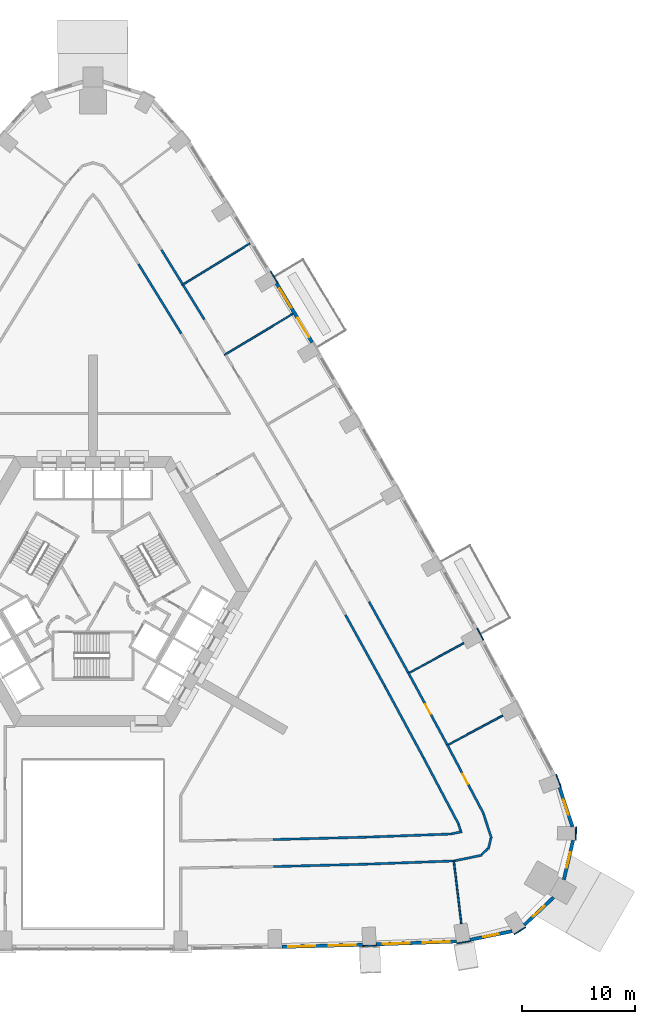
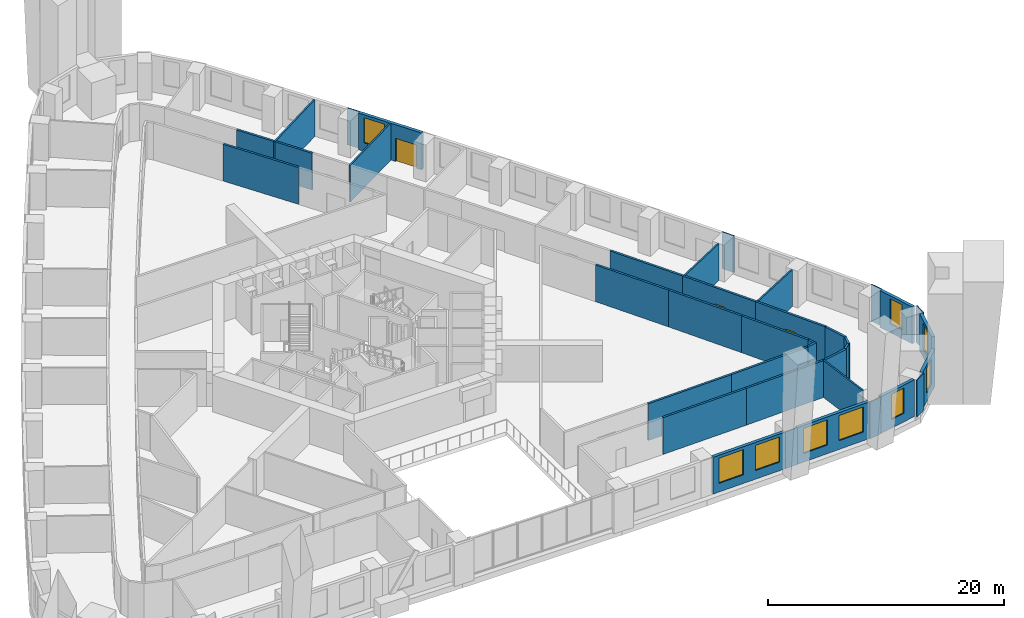
# One storey, part 10 of 16: 38 walls, 9 windows, 3 doors, 12 openings.
"""IFC4 building model written with IfcOpenShell, lengths in metres."""

from ifc_helpers import new_model, si_unit, direction, frame, frame_2d, origin, place, context, subcontext, project, spatial, rectangle, extrude, material, layer, layer_set, type_object, element, fill, save


model = new_model("IFC4")

# Units and contexts
model_context = context("Model", 3, precision=1e-05, world=origin(), true_north=direction((0.0, 1.0)))
body_context = subcontext(model_context, "Body", "Model", "MODEL_VIEW")
ifc_project = project(units=[si_unit("LENGTHUNIT", "METRE"), si_unit("AREAUNIT", "SQUARE_METRE"), si_unit("VOLUMEUNIT", "CUBIC_METRE"), si_unit("PLANEANGLEUNIT", "RADIAN"), si_unit("MASSUNIT", "GRAM", prefix="KILO")], contexts=[model_context])

# Site, building, storey
site_placement = place(None, origin())
site = spatial("IfcSite", under=ifc_project, at=site_placement, CompositionType="ELEMENT")
building_placement = place(site_placement, origin())
building = spatial("IfcBuilding", under=site, at=building_placement, Name="Entoto Arch Interchange Tower", CompositionType="ELEMENT")
storey_placement = place(building_placement, frame((0.0, 0.0, 60.199951171875)))
storey = spatial("IfcBuildingStorey", under=building, at=storey_placement, Name="L12", CompositionType="ELEMENT", Elevation=60.199951171875)

# Walls
ifc_material_1 = material(Name="Gypsum board partition on steel studs", Category="steel")
ifc_layer_1 = layer(ifc_material_1, 0.14990234375)
ifc_layer_set_1 = layer_set([ifc_layer_1], Name="Gypsum board partition on steel studs")
wall_type_1 = type_object("IfcWallType", Name="PARTITION 150", PredefinedType="PARTITIONING", material=ifc_layer_set_1)
wall_1_placement = place(storey_placement, frame((32.041015625, -21.431884765625, 0.0), z_axis=(0.0, 0.0, 1.0), x_axis=(0.118848018273, -0.992912457648, 0.0)))
element("IfcWall", 1, at=wall_1_placement, inside=storey, type_object=wall_type_1, Name="wall:L12:p134", PredefinedType="PARTITIONING", context=body_context, shape_type="SweptSolid", body=[
    extrude(rectangle(XDim=5.60400390625, YDim=0.14990234375, at=frame_2d((2.802001953125, 0.0))), origin(), (0.0, 0.0, 1.0), 3.800048828125),
])
wall_2_placement = place(storey_placement, frame((31.56103515625, -11.10302734375, 0.0), z_axis=(0.0, 0.0, 1.0), x_axis=(0.882056805494, 0.47114306944, 0.0)))
element("IfcWall", 2, at=wall_2_placement, inside=storey, type_object=wall_type_1, Name="wall:L12:p135", PredefinedType="PARTITIONING", context=body_context, shape_type="SweptSolid", body=[
    extrude(rectangle(XDim=5.48046875, YDim=0.14990234375, at=frame_2d((2.740234375, 0.0))), origin(), (0.0, 0.0, 1.0), 3.800048828125),
])
wall_3_placement = place(storey_placement, frame((28.111083984375, -4.717041015625, 0.0), z_axis=(0.0, 0.0, 1.0), x_axis=(0.877558297547, 0.479469951515, 0.0)))
element("IfcWall", 3, at=wall_3_placement, inside=storey, type_object=wall_type_1, Name="wall:L12:p136", PredefinedType="PARTITIONING", context=body_context, shape_type="SweptSolid", body=[
    extrude(rectangle(XDim=5.48095703125, YDim=0.14990234375, at=frame_2d((2.740478515625, 0.0))), origin(), (0.0, 0.0, 1.0), 3.800048828125),
])
wall_4_placement = place(storey_placement, frame((11.672119140625, 23.492919921875, 0.0), z_axis=(0.0, 0.0, 1.0), x_axis=(0.856462653555, 0.516208991656, 0.0)))
element("IfcWall", 4, at=wall_4_placement, inside=storey, type_object=wall_type_1, Name="wall:L12:p139", PredefinedType="PARTITIONING", context=body_context, shape_type="SweptSolid", body=[
    extrude(rectangle(XDim=7.099853515625, YDim=0.14990234375, at=frame_2d((3.5498046875, 0.0))), origin(), (0.0, 0.0, 1.0), 3.800048828125),
])
wall_5_placement = place(storey_placement, frame((7.89697265625, 29.68994140625, 0.0), z_axis=(0.0, 0.0, 1.0), x_axis=(0.851604009471, 0.524185664677, 0.0)))
element("IfcWall", 5, at=wall_5_placement, inside=storey, type_object=wall_type_1, Name="wall:L12:p140", PredefinedType="PARTITIONING", context=body_context, shape_type="SweptSolid", body=[
    extrude(rectangle(XDim=7.100830078125, YDim=0.14990234375, at=frame_2d((3.55029296875, 0.0))), origin(), (0.0, 0.0, 1.0), 3.800048828125),
])
ifc_layer_2 = layer(ifc_material_1, 0.199951171875)
ifc_layer_set_2 = layer_set([ifc_layer_2], Name="Gypsum board partition on steel studs")
wall_type_2 = type_object("IfcWallType", Name="PARTITION 200", PredefinedType="PARTITIONING", material=ifc_layer_set_2)
wall_6_placement = place(storey_placement, frame((7.8349609375, 25.404052734375, 0.0), z_axis=(0.0, 0.0, 1.0), x_axis=(-0.524225471951, 0.851579505717, 0.0)))
element("IfcWall", 6, at=wall_6_placement, inside=storey, type_object=wall_type_2, Name="wall:L12:p010", PredefinedType="PARTITIONING", context=body_context, shape_type="SweptSolid", body=[
    extrude(rectangle(XDim=7.2333984375, YDim=0.199951171875, at=frame_2d((3.61669921875, 0.0))), origin(), (0.0, 0.0, 1.0), 3.800048828125),
])
wall_7_placement = place(storey_placement, frame((15.968017578125, -19.533935546875, 0.0), z_axis=(0.0, 0.0, 1.0), x_axis=(0.999659413518, 0.026097068146, 0.0)))
element("IfcWall", 7, at=wall_7_placement, inside=storey, type_object=wall_type_2, Name="wall:L12:p019", PredefinedType="PARTITIONING", context=body_context, shape_type="SweptSolid", body=[
    extrude(rectangle(XDim=8.27001953125, YDim=0.199951171875, at=frame_2d((4.135009765625, 0.0))), origin(), (0.0, 0.0, 1.0), 3.800048828125),
])
wall_8_placement = place(storey_placement, frame((24.235107421875, -19.318115234375, 0.0), z_axis=(0.0, 0.0, 1.0), x_axis=(0.999320698485, 0.036852972476, 0.0)))
element("IfcWall", 8, at=wall_8_placement, inside=storey, type_object=wall_type_2, Name="wall:L12:p020", PredefinedType="PARTITIONING", context=body_context, shape_type="SweptSolid", body=[
    extrude(rectangle(XDim=7.625, YDim=0.199951171875, at=frame_2d((3.8125, 0.0))), origin(), (0.0, 0.0, 1.0), 3.800048828125),
])
wall_9_placement = place(storey_placement, frame((31.85302734375, -19.02099609375, 0.0), z_axis=(0.0, 0.0, 1.0), x_axis=(0.979793671436, 0.200010903236, 0.0)))
element("IfcWall", 9, at=wall_9_placement, inside=storey, type_object=wall_type_2, Name="wall:L12:p021", PredefinedType="PARTITIONING", context=body_context, shape_type="SweptSolid", body=[
    extrude(rectangle(XDim=0.93994140625, YDim=0.199951171875, at=frame_2d((0.469970703125, 0.0))), origin(), (0.0, 0.0, 1.0), 3.800048828125),
])
wall_10_placement = place(storey_placement, frame((32.64501953125, -18.758056640625, 0.0), z_axis=(0.0, 0.0, 1.0), x_axis=(-0.311683867653, 0.950185859001, 0.0)))
element("IfcWall", 10, at=wall_10_placement, inside=storey, type_object=wall_type_2, Name="wall:L12:p022", PredefinedType="PARTITIONING", context=body_context, shape_type="SweptSolid", body=[
    extrude(rectangle(XDim=0.596923828125, YDim=0.199951171875, at=frame_2d((0.29833984375, 0.0))), origin(), (0.0, 0.0, 1.0), 3.800048828125),
])
wall_11_placement = place(storey_placement, frame((32.47509765625, -18.18505859375, 0.0), z_axis=(0.0, 0.0, 1.0), x_axis=(-0.467123190417, 0.884192244353, 0.0)))
element("IfcWall", 11, at=wall_11_placement, inside=storey, type_object=wall_type_2, Name="wall:L12:p023", PredefinedType="PARTITIONING", context=body_context, shape_type="SweptSolid", body=[
    extrude(rectangle(XDim=6.67724609375, YDim=0.199951171875, at=frame_2d((3.338623046875, 0.0))), origin(), (0.0, 0.0, 1.0), 3.800048828125),
])
wall_12_placement = place(storey_placement, frame((29.35595703125, -12.281005859375, 0.0), z_axis=(0.0, 0.0, 1.0), x_axis=(-0.475244544503, 0.87985375087, 0.0)))
element("IfcWall", 12, at=wall_12_placement, inside=storey, type_object=wall_type_2, Name="wall:L12:p024", PredefinedType="PARTITIONING", context=body_context, shape_type="SweptSolid", body=[
    extrude(rectangle(XDim=7.234130859375, YDim=0.199951171875, at=frame_2d((3.6171875, 0.0))), origin(), (0.0, 0.0, 1.0), 3.800048828125),
])
wall_13_placement = place(storey_placement, frame((25.91796875, -5.916015625, 0.0), z_axis=(0.0, 0.0, 1.0), x_axis=(-0.483612623402, 0.875282143361, 0.0)))
element("IfcWall", 13, at=wall_13_placement, inside=storey, type_object=wall_type_2, Name="wall:L12:p025", PredefinedType="PARTITIONING", context=body_context, shape_type="SweptSolid", body=[
    extrude(rectangle(XDim=7.233154296875, YDim=0.199951171875, at=frame_2d((3.61669921875, 0.0))), origin(), (0.0, 0.0, 1.0), 3.800048828125),
])
wall_14_placement = place(storey_placement, frame((32.14111328125, -21.427978515625, 0.0), z_axis=(0.0, 0.0, 1.0), x_axis=(-0.999324021202, -0.036762761723, 0.0)))
element("IfcWall", 14, at=wall_14_placement, inside=storey, type_object=wall_type_2, Name="wall:L12:p043", PredefinedType="PARTITIONING", context=body_context, shape_type="SweptSolid", body=[
    extrude(rectangle(XDim=7.83642578125, YDim=0.199951171875, at=frame_2d((3.918212890625, 0.0))), origin(), (0.0, 0.0, 1.0), 3.800048828125),
])
wall_15_placement = place(storey_placement, frame((24.31005859375, -21.716064453125, 0.0), z_axis=(0.0, 0.0, 1.0), x_axis=(-0.999657616542, -0.02616581148, 0.0)))
element("IfcWall", 15, at=wall_15_placement, inside=storey, type_object=wall_type_2, Name="wall:L12:p044", PredefinedType="PARTITIONING", context=body_context, shape_type="SweptSolid", body=[
    extrude(rectangle(XDim=8.294921875, YDim=0.199951171875, at=frame_2d((4.1474609375, 0.0))), origin(), (0.0, 0.0, 1.0), 3.800048828125),
])

# Wall, opening, door
wall_16_placement = place(storey_placement, frame((31.43798828125, -11.0830078125, 0.0), z_axis=(0.0, 0.0, 1.0), x_axis=(0.467077609314, -0.884216323575, 0.0)))
wall_16 = element("IfcWall", 16, at=wall_16_placement, inside=storey, type_object=wall_type_2, Name="wall:L12:p046", PredefinedType="PARTITIONING", context=body_context, shape_type="SweptSolid", body=[
    extrude(rectangle(XDim=6.966552734375, YDim=0.199951171875, at=frame_2d((3.4833984375, 0.0))), origin(), (0.0, 0.0, 1.0), 3.800048828125),
])
opening_1_placement = place(wall_16_placement, frame((2.98291015625, 0.0, 0.0)))
opening_1 = element("IfcOpeningElement", 17, at=opening_1_placement, cuts=wall_16, Name="Opening L12-D02", PredefinedType="OPENING", context=body_context, shape_type="SweptSolid", body=[
    extrude(rectangle(XDim=1.0, YDim=2.10009765625, at=frame_2d((0.5, 1.050048828125))), frame((0.0, 0.10986328125, 0.0), z_axis=(0.0, -1.0, 0.0), x_axis=(1.0, 0.0, 0.0)), (0.0, 0.0, 1.0), 0.219970703125),
])
ifc_material_2 = material(Name="Timber door leaf in Steel S235 frame", Category="steel")
door_type_1 = type_object("IfcDoorType", Name="DOOR DS-10 1000x2100", OperationType="SINGLE_SWING_LEFT", PredefinedType="DOOR", material=ifc_material_2)
door_1_placement = place(opening_1_placement, origin())
door_1 = element("IfcDoor", 18, at=door_1_placement, inside=storey, type_object=door_type_1, Name="door:L12:02", OperationType="SINGLE_SWING_LEFT", OverallHeight=2.10009765625, OverallWidth=1.0, PredefinedType="DOOR", context=body_context, shape_type="SweptSolid", body=[
    extrude(rectangle(XDim=1.0, YDim=2.10009765625, at=frame_2d((0.5, 1.050048828125))), frame((0.0, 0.02490234375, 0.0), z_axis=(0.0, -1.0, 0.0), x_axis=(1.0, 0.0, 0.0)), (0.0, 0.0, 1.0), 0.050048828125),
])
fill(opening_1, door_1)

# Walls
wall_17_placement = place(storey_placement, frame((34.676025390625, -17.25, 0.0), z_axis=(0.0, 0.0, 1.0), x_axis=(0.311855014756, -0.950129701552, 0.0)))
element("IfcWall", 19, at=wall_17_placement, inside=storey, type_object=wall_type_2, Name="wall:L12:p047", PredefinedType="PARTITIONING", context=body_context, shape_type="SweptSolid", body=[
    extrude(rectangle(XDim=2.27978515625, YDim=0.199951171875, at=frame_2d((1.139892578125, 0.0))), origin(), (0.0, 0.0, 1.0), 3.800048828125),
])
wall_18_placement = place(storey_placement, frame((35.3330078125, -19.4189453125, 0.0), z_axis=(0.0, 0.0, 1.0), x_axis=(-0.231107564644, -0.97292820576, 0.0)))
element("IfcWall", 20, at=wall_18_placement, inside=storey, type_object=wall_type_2, Name="wall:L12:p048", PredefinedType="PARTITIONING", context=body_context, shape_type="SweptSolid", body=[
    extrude(rectangle(XDim=0.986572265625, YDim=0.199951171875, at=frame_2d((0.4931640625, 0.0))), origin(), (0.0, 0.0, 1.0), 3.800048828125),
])
wall_19_placement = place(storey_placement, frame((35.055908203125, -20.35009765625, 0.0), z_axis=(0.0, 0.0, 1.0), x_axis=(-0.72702197617, -0.686614190186, 0.0)))
element("IfcWall", 21, at=wall_19_placement, inside=storey, type_object=wall_type_2, Name="wall:L12:p049", PredefinedType="PARTITIONING", context=body_context, shape_type="SweptSolid", body=[
    extrude(rectangle(XDim=0.767333984375, YDim=0.199951171875, at=frame_2d((0.3837890625, 0.0))), origin(), (0.0, 0.0, 1.0), 3.800048828125),
])
wall_20_placement = place(storey_placement, frame((34.52294921875, -20.926025390625, 0.0), z_axis=(0.0, 0.0, 1.0), x_axis=(-0.979840552367, -0.199781110063, 0.0)))
element("IfcWall", 22, at=wall_20_placement, inside=storey, type_object=wall_type_2, Name="wall:L12:p050", PredefinedType="PARTITIONING", context=body_context, shape_type="SweptSolid", body=[
    extrude(rectangle(XDim=2.43310546875, YDim=0.199951171875, at=frame_2d((1.216552734375, 0.0))), origin(), (0.0, 0.0, 1.0), 3.800048828125),
])

# Wall, opening, door
wall_21_placement = place(storey_placement, frame((27.988037109375, -4.698974609375, 0.0), z_axis=(0.0, 0.0, 1.0), x_axis=(0.475319272717, -0.879813383044, 0.0)))
wall_21 = element("IfcWall", 23, at=wall_21_placement, inside=storey, type_object=wall_type_2, Name="wall:L12:p051", PredefinedType="PARTITIONING", context=body_context, shape_type="SweptSolid", body=[
    extrude(rectangle(XDim=7.256103515625, YDim=0.199951171875, at=frame_2d((3.6279296875, 0.0))), origin(), (0.0, 0.0, 1.0), 3.800048828125),
])
opening_2_placement = place(wall_21_placement, frame((3.202880859375, 0.0, 0.0)))
opening_2 = element("IfcOpeningElement", 24, at=opening_2_placement, cuts=wall_21, Name="Opening L12-D03", PredefinedType="OPENING", context=body_context, shape_type="SweptSolid", body=[
    extrude(rectangle(XDim=1.0, YDim=2.10009765625, at=frame_2d((0.5, 1.050048828125))), frame((0.0, 0.10986328125, 0.0), z_axis=(0.0, -1.0, 0.0), x_axis=(1.0, 0.0, 0.0)), (0.0, 0.0, 1.0), 0.219970703125),
])
door_2_placement = place(opening_2_placement, origin())
door_2 = element("IfcDoor", 25, at=door_2_placement, inside=storey, type_object=door_type_1, Name="door:L12:03", OperationType="SINGLE_SWING_RIGHT", OverallHeight=2.10009765625, OverallWidth=1.0, PredefinedType="DOOR", context=body_context, shape_type="SweptSolid", body=[
    extrude(rectangle(XDim=1.0, YDim=2.10009765625, at=frame_2d((0.5, 1.050048828125))), frame((0.0, 0.02490234375, 0.0), z_axis=(0.0, -1.0, 0.0), x_axis=(1.0, 0.0, 0.0)), (0.0, 0.0, 1.0), 0.050048828125),
])
fill(opening_2, door_2)

# Walls
wall_22_placement = place(storey_placement, frame((24.514892578125, 1.5849609375, 0.0), z_axis=(0.0, 0.0, 1.0), x_axis=(0.483629211989, -0.875272977597, 0.0)))
element("IfcWall", 26, at=wall_22_placement, inside=storey, type_object=wall_type_2, Name="wall:L12:p053", PredefinedType="PARTITIONING", context=body_context, shape_type="SweptSolid", body=[
    extrude(rectangle(XDim=7.179443359375, YDim=0.199951171875, at=frame_2d((3.58984375, 0.0))), origin(), (0.0, 0.0, 1.0), 3.800048828125),
])
wall_23_placement = place(storey_placement, frame((8.02197265625, 29.677978515625, 0.0), z_axis=(0.0, 0.0, 1.0), x_axis=(0.524093591744, -0.851660676029, 0.0)))
element("IfcWall", 27, at=wall_23_placement, inside=storey, type_object=wall_type_2, Name="wall:L12:p058", PredefinedType="PARTITIONING", context=body_context, shape_type="SweptSolid", body=[
    extrude(rectangle(XDim=3.552978515625, YDim=0.199951171875, at=frame_2d((1.7763671875, 0.0))), origin(), (0.0, 0.0, 1.0), 3.800048828125),
])
wall_24_placement = place(storey_placement, frame((6.0810546875, 32.83203125, 0.0), z_axis=(0.0, 0.0, 1.0), x_axis=(0.524062922014, -0.851679548756, 0.0)))
element("IfcWall", 28, at=wall_24_placement, inside=storey, type_object=wall_type_2, Name="wall:L12:p061", PredefinedType="PARTITIONING", context=body_context, shape_type="SweptSolid", body=[
    extrude(rectangle(XDim=3.55322265625, YDim=0.199951171875, at=frame_2d((1.776611328125, 0.0))), origin(), (0.0, 0.0, 1.0), 3.800048828125),
])

# Wall, openings, windows
ifc_material_3 = material(Name="Welded tuff (ignimbrite) cladding, warm buff", Category="masonry")
ifc_layer_3 = layer(ifc_material_3, 0.300048828125)
ifc_layer_set_3 = layer_set([ifc_layer_3], Name="Welded tuff (ignimbrite) cladding, warm buff")
wall_type_3 = type_object("IfcWallType", Name="STONE INFILL WALL 300", PredefinedType="STANDARD", material=ifc_layer_set_3)
wall_25_placement = place(storey_placement, frame((16.764892578125, -29.06591796875, 0.0), z_axis=(0.0, 0.0, 1.0), x_axis=(0.999660132619, 0.026069508106, 0.0)))
wall_25 = element("IfcWall", 29, at=wall_25_placement, inside=storey, type_object=wall_type_3, Name="Facade wall S-06 L12", PredefinedType="STANDARD", context=body_context, shape_type="SweptSolid", body=[
    extrude(rectangle(XDim=7.173583984375, YDim=0.300048828125, at=frame_2d((3.5869140625, 0.0))), origin(), (0.0, 0.0, 1.0), 3.800048828125),
])
opening_3_placement = place(wall_25_placement, frame((0.593017578125, 0.0, 0.89990234375)))
opening_3 = element("IfcOpeningElement", 30, at=opening_3_placement, cuts=wall_25, Name="Opening WO-A", PredefinedType="OPENING", context=body_context, shape_type="SweptSolid", body=[
    extrude(rectangle(XDim=2.39990234375, YDim=2.60009765625, at=frame_2d((1.199951171875, 1.300048828125))), frame((0.0, 0.16015625, 0.0), z_axis=(0.0, -1.0, 0.0), x_axis=(1.0, 0.0, 0.0)), (0.0, 0.0, 1.0), 0.320068359375),
])
opening_4_placement = place(wall_25_placement, frame((4.179931640625, 0.0, 0.89990234375)))
opening_4 = element("IfcOpeningElement", 31, at=opening_4_placement, cuts=wall_25, Name="Opening WO-A", PredefinedType="OPENING", context=body_context, shape_type="SweptSolid", body=[
    extrude(rectangle(XDim=2.39990234375, YDim=2.60009765625, at=frame_2d((1.199951171875, 1.300048828125))), frame((0.0, 0.16015625, 0.0), z_axis=(0.0, -1.0, 0.0), x_axis=(1.0, 0.0, 0.0)), (0.0, 0.0, 1.0), 0.320068359375),
])
ifc_material_4 = material(Name="Clear glass, low-e double glazed", Category="glass")
window_type_1 = type_object("IfcWindowType", Name="WINDOW WO-A 2400x2600", PartitioningType="DOUBLE_PANEL_VERTICAL", PredefinedType="WINDOW", material=ifc_material_4)
window_1_placement = place(opening_3_placement, origin())
window_1 = element("IfcWindow", 32, at=window_1_placement, inside=storey, type_object=window_type_1, Name="Window WO-A S-06 L12", OverallHeight=2.60009765625, OverallWidth=2.39990234375, PartitioningType="SINGLE_PANEL", PredefinedType="WINDOW", context=body_context, shape_type="SweptSolid", body=[
    extrude(rectangle(XDim=2.39990234375, YDim=2.60009765625, at=frame_2d((1.199951171875, 1.300048828125))), frame((0.0, 0.030029296875, 0.0), z_axis=(0.0, -1.0, 0.0), x_axis=(1.0, 0.0, 0.0)), (0.0, 0.0, 1.0), 0.06005859375),
])
fill(opening_3, window_1)
window_2_placement = place(opening_4_placement, origin())
window_2 = element("IfcWindow", 33, at=window_2_placement, inside=storey, type_object=window_type_1, Name="Window WO-A S-06 L12", OverallHeight=2.60009765625, OverallWidth=2.39990234375, PartitioningType="SINGLE_PANEL", PredefinedType="WINDOW", context=body_context, shape_type="SweptSolid", body=[
    extrude(rectangle(XDim=2.39990234375, YDim=2.60009765625, at=frame_2d((1.199951171875, 1.300048828125))), frame((0.0, 0.030029296875, 0.0), z_axis=(0.0, -1.0, 0.0), x_axis=(1.0, 0.0, 0.0)), (0.0, 0.0, 1.0), 0.06005859375),
])
fill(opening_4, window_2)

wall_26_placement = place(storey_placement, frame((25.134033203125, -28.841064453125, 0.0), z_axis=(0.0, 0.0, 1.0), x_axis=(0.999322852286, 0.036794522671, 0.0)))
wall_26 = element("IfcWall", 34, at=wall_26_placement, inside=storey, type_object=wall_type_3, Name="Facade wall S-07 L12", PredefinedType="STANDARD", context=body_context, shape_type="SweptSolid", body=[
    extrude(rectangle(XDim=7.15283203125, YDim=0.300048828125, at=frame_2d((3.576416015625, 0.0))), origin(), (0.0, 0.0, 1.0), 3.800048828125),
])
opening_5_placement = place(wall_26_placement, frame((0.587890625, 0.0, 0.89990234375)))
opening_5 = element("IfcOpeningElement", 35, at=opening_5_placement, cuts=wall_26, Name="Opening WO-A", PredefinedType="OPENING", context=body_context, shape_type="SweptSolid", body=[
    extrude(rectangle(XDim=2.39990234375, YDim=2.60009765625, at=frame_2d((1.199951171875, 1.300048828125))), frame((0.0, 0.16015625, 0.0), z_axis=(0.0, -1.0, 0.0), x_axis=(1.0, 0.0, 0.0)), (0.0, 0.0, 1.0), 0.320068359375),
])
opening_6_placement = place(wall_26_placement, frame((4.1650390625, 0.0, 0.89990234375)))
opening_6 = element("IfcOpeningElement", 36, at=opening_6_placement, cuts=wall_26, Name="Opening WO-A", PredefinedType="OPENING", context=body_context, shape_type="SweptSolid", body=[
    extrude(rectangle(XDim=2.39990234375, YDim=2.60009765625, at=frame_2d((1.199951171875, 1.300048828125))), frame((0.0, 0.16015625, 0.0), z_axis=(0.0, -1.0, 0.0), x_axis=(1.0, 0.0, 0.0)), (0.0, 0.0, 1.0), 0.320068359375),
])
window_3_placement = place(opening_5_placement, origin())
window_3 = element("IfcWindow", 37, at=window_3_placement, inside=storey, type_object=window_type_1, Name="Window WO-A S-07 L12", OverallHeight=2.60009765625, OverallWidth=2.39990234375, PartitioningType="SINGLE_PANEL", PredefinedType="WINDOW", context=body_context, shape_type="SweptSolid", body=[
    extrude(rectangle(XDim=2.39990234375, YDim=2.60009765625, at=frame_2d((1.199951171875, 1.300048828125))), frame((0.0, 0.030029296875, 0.0), z_axis=(0.0, -1.0, 0.0), x_axis=(1.0, 0.0, 0.0)), (0.0, 0.0, 1.0), 0.06005859375),
])
fill(opening_5, window_3)
window_4_placement = place(opening_6_placement, origin())
window_4 = element("IfcWindow", 38, at=window_4_placement, inside=storey, type_object=window_type_1, Name="Window WO-A S-07 L12", OverallHeight=2.60009765625, OverallWidth=2.39990234375, PartitioningType="SINGLE_PANEL", PredefinedType="WINDOW", context=body_context, shape_type="SweptSolid", body=[
    extrude(rectangle(XDim=2.39990234375, YDim=2.60009765625, at=frame_2d((1.199951171875, 1.300048828125))), frame((0.0, 0.030029296875, 0.0), z_axis=(0.0, -1.0, 0.0), x_axis=(1.0, 0.0, 0.0)), (0.0, 0.0, 1.0), 0.06005859375),
])
fill(opening_6, window_4)

# Wall, opening, window
wall_27_placement = place(storey_placement, frame((33.472900390625, -28.43701171875, 0.0), z_axis=(0.0, 0.0, 1.0), x_axis=(0.979824229846, 0.199861148317, 0.0)))
wall_27 = element("IfcWall", 39, at=wall_27_placement, inside=storey, type_object=wall_type_3, Name="Facade wall SE-01 L12", PredefinedType="STANDARD", context=body_context, shape_type="SweptSolid", body=[
    extrude(rectangle(XDim=3.822265625, YDim=0.300048828125, at=frame_2d((1.9111328125, 0.0))), origin(), (0.0, 0.0, 1.0), 3.800048828125),
])
opening_7_placement = place(wall_27_placement, frame((1.2109375, 0.0, 0.89990234375)))
opening_7 = element("IfcOpeningElement", 40, at=opening_7_placement, cuts=wall_27, Name="Opening WO-B", PredefinedType="OPENING", context=body_context, shape_type="SweptSolid", body=[
    extrude(rectangle(XDim=1.39990234375, YDim=2.60009765625, at=frame_2d((0.699951171875, 1.300048828125))), frame((0.0, 0.16015625, 0.0), z_axis=(0.0, -1.0, 0.0), x_axis=(1.0, 0.0, 0.0)), (0.0, 0.0, 1.0), 0.320068359375),
])
window_type_2 = type_object("IfcWindowType", Name="WINDOW WO-B 1400x2600", PartitioningType="DOUBLE_PANEL_VERTICAL", PredefinedType="WINDOW", material=ifc_material_4)
window_5_placement = place(opening_7_placement, origin())
window_5 = element("IfcWindow", 41, at=window_5_placement, inside=storey, type_object=window_type_2, Name="Window WO-B SE-01 L12", OverallHeight=2.60009765625, OverallWidth=1.39990234375, PartitioningType="SINGLE_PANEL", PredefinedType="WINDOW", context=body_context, shape_type="SweptSolid", body=[
    extrude(rectangle(XDim=1.39990234375, YDim=2.60009765625, at=frame_2d((0.699951171875, 1.300048828125))), frame((0.0, 0.030029296875, 0.0), z_axis=(0.0, -1.0, 0.0), x_axis=(1.0, 0.0, 0.0)), (0.0, 0.0, 1.0), 0.06005859375),
])
fill(opening_7, window_5)

wall_28_placement = place(storey_placement, frame((38.2900390625, -27.1298828125, 0.0), z_axis=(0.0, 0.0, 1.0), x_axis=(0.727082698591, 0.686549888508, 0.0)))
wall_28 = element("IfcWall", 42, at=wall_28_placement, inside=storey, type_object=wall_type_3, Name="Facade wall SE-02 L12", PredefinedType="STANDARD", context=body_context, shape_type="SweptSolid", body=[
    extrude(rectangle(XDim=3.601806640625, YDim=0.300048828125, at=frame_2d((1.80078125, 0.0))), origin(), (0.0, 0.0, 1.0), 3.800048828125),
])
opening_8_placement = place(wall_28_placement, frame((1.10107421875, 0.0, 0.89990234375)))
opening_8 = element("IfcOpeningElement", 43, at=opening_8_placement, cuts=wall_28, Name="Opening WO-B", PredefinedType="OPENING", context=body_context, shape_type="SweptSolid", body=[
    extrude(rectangle(XDim=1.39990234375, YDim=2.60009765625, at=frame_2d((0.699951171875, 1.300048828125))), frame((0.0, 0.16015625, 0.0), z_axis=(0.0, -1.0, 0.0), x_axis=(1.0, 0.0, 0.0)), (0.0, 0.0, 1.0), 0.320068359375),
])
window_6_placement = place(opening_8_placement, origin())
window_6 = element("IfcWindow", 44, at=window_6_placement, inside=storey, type_object=window_type_2, Name="Window WO-B SE-02 L12", OverallHeight=2.60009765625, OverallWidth=1.39990234375, PartitioningType="SINGLE_PANEL", PredefinedType="WINDOW", context=body_context, shape_type="SweptSolid", body=[
    extrude(rectangle(XDim=1.39990234375, YDim=2.60009765625, at=frame_2d((0.699951171875, 1.300048828125))), frame((0.0, 0.030029296875, 0.0), z_axis=(0.0, -1.0, 0.0), x_axis=(1.0, 0.0, 0.0)), (0.0, 0.0, 1.0), 0.06005859375),
])
fill(opening_8, window_6)

wall_29_placement = place(storey_placement, frame((41.80810546875, -23.10009765625, 0.0), z_axis=(0.0, 0.0, 1.0), x_axis=(0.230893603767, 0.972979004778, 0.0)))
wall_29 = element("IfcWall", 45, at=wall_29_placement, inside=storey, type_object=wall_type_3, Name="Facade wall SE-03 L12", PredefinedType="STANDARD", context=body_context, shape_type="SweptSolid", body=[
    extrude(rectangle(XDim=3.6025390625, YDim=0.300048828125, at=frame_2d((1.80126953125, 0.0))), origin(), (0.0, 0.0, 1.0), 3.800048828125),
])
opening_9_placement = place(wall_29_placement, frame((1.10107421875, 0.0, 0.89990234375)))
opening_9 = element("IfcOpeningElement", 46, at=opening_9_placement, cuts=wall_29, Name="Opening WO-B", PredefinedType="OPENING", context=body_context, shape_type="SweptSolid", body=[
    extrude(rectangle(XDim=1.39990234375, YDim=2.60009765625, at=frame_2d((0.699951171875, 1.300048828125))), frame((0.0, 0.16015625, 0.0), z_axis=(0.0, -1.0, 0.0), x_axis=(1.0, 0.0, 0.0)), (0.0, 0.0, 1.0), 0.320068359375),
])
window_7_placement = place(opening_9_placement, origin())
window_7 = element("IfcWindow", 47, at=window_7_placement, inside=storey, type_object=window_type_2, Name="Window WO-B SE-03 L12", OverallHeight=2.60009765625, OverallWidth=1.39990234375, PartitioningType="SINGLE_PANEL", PredefinedType="WINDOW", context=body_context, shape_type="SweptSolid", body=[
    extrude(rectangle(XDim=1.39990234375, YDim=2.60009765625, at=frame_2d((0.699951171875, 1.300048828125))), frame((0.0, 0.030029296875, 0.0), z_axis=(0.0, -1.0, 0.0), x_axis=(1.0, 0.0, 0.0)), (0.0, 0.0, 1.0), 0.06005859375),
])
fill(opening_9, window_7)

wall_30_placement = place(storey_placement, frame((42.577880859375, -18.39501953125, 0.0), z_axis=(0.0, 0.0, 1.0), x_axis=(-0.31208801137, 0.95005319491, 0.0)))
wall_30 = element("IfcWall", 48, at=wall_30_placement, inside=storey, type_object=wall_type_3, Name="Facade wall SE-04 L12", PredefinedType="STANDARD", context=body_context, shape_type="SweptSolid", body=[
    extrude(rectangle(XDim=3.6650390625, YDim=0.300048828125, at=frame_2d((1.83251953125, 0.0))), origin(), (0.0, 0.0, 1.0), 3.800048828125),
])
opening_10_placement = place(wall_30_placement, frame((1.133056640625, 0.0, 0.89990234375)))
opening_10 = element("IfcOpeningElement", 49, at=opening_10_placement, cuts=wall_30, Name="Opening WO-B", PredefinedType="OPENING", context=body_context, shape_type="SweptSolid", body=[
    extrude(rectangle(XDim=1.39990234375, YDim=2.60009765625, at=frame_2d((0.699951171875, 1.300048828125))), frame((0.0, 0.16015625, 0.0), z_axis=(0.0, -1.0, 0.0), x_axis=(1.0, 0.0, 0.0)), (0.0, 0.0, 1.0), 0.320068359375),
])
window_8_placement = place(opening_10_placement, origin())
window_8 = element("IfcWindow", 50, at=window_8_placement, inside=storey, type_object=window_type_2, Name="Window WO-B SE-04 L12", OverallHeight=2.60009765625, OverallWidth=1.39990234375, PartitioningType="SINGLE_PANEL", PredefinedType="WINDOW", context=body_context, shape_type="SweptSolid", body=[
    extrude(rectangle(XDim=1.39990234375, YDim=2.60009765625, at=frame_2d((0.699951171875, 1.300048828125))), frame((0.0, 0.030029296875, 0.0), z_axis=(0.0, -1.0, 0.0), x_axis=(1.0, 0.0, 0.0)), (0.0, 0.0, 1.0), 0.06005859375),
])
fill(opening_10, window_8)

# Wall, openings, door, window
wall_31_placement = place(storey_placement, frame((19.4619140625, 24.612060546875, 0.0), z_axis=(0.0, 0.0, 1.0), x_axis=(-0.516147563478, 0.856499674674, 0.0)))
wall_31 = element("IfcWall", 51, at=wall_31_placement, inside=storey, type_object=wall_type_3, Name="Facade wall NE-07 L12", PredefinedType="STANDARD", context=body_context, shape_type="SweptSolid", body=[
    extrude(rectangle(XDim=6.1259765625, YDim=0.300048828125, at=frame_2d((3.06298828125, 0.0))), origin(), (0.0, 0.0, 1.0), 3.800048828125),
])
opening_11_placement = place(wall_31_placement, frame((0.531982421875, 0.0, 0.0)))
opening_11 = element("IfcOpeningElement", 52, at=opening_11_placement, cuts=wall_31, Name="Opening DB-NE-07-L12", PredefinedType="OPENING", context=body_context, shape_type="SweptSolid", body=[
    extrude(rectangle(XDim=2.0, YDim=2.39990234375, at=frame_2d((1.0, 1.199951171875))), frame((0.0, 0.16015625, 0.0), z_axis=(0.0, -1.0, 0.0), x_axis=(1.0, 0.0, 0.0)), (0.0, 0.0, 1.0), 0.320068359375),
])
opening_12_placement = place(wall_31_placement, frame((3.594970703125, 0.0, 0.89990234375)))
opening_12 = element("IfcOpeningElement", 53, at=opening_12_placement, cuts=wall_31, Name="Opening WO-C", PredefinedType="OPENING", context=body_context, shape_type="SweptSolid", body=[
    extrude(rectangle(XDim=2.0, YDim=2.60009765625, at=frame_2d((1.0, 1.300048828125))), frame((0.0, 0.16015625, 0.0), z_axis=(0.0, -1.0, 0.0), x_axis=(1.0, 0.0, 0.0)), (0.0, 0.0, 1.0), 0.320068359375),
])
ifc_material_5 = material(Name="Aluminium and clear glass, anodised", Category="aluminium")
door_type_2 = type_object("IfcDoorType", Name="BALCONY DOOR DB 2000x2400", OperationType="SLIDING_TO_LEFT", PredefinedType="DOOR", material=ifc_material_5)
door_3_placement = place(opening_11_placement, origin())
door_3 = element("IfcDoor", 54, at=door_3_placement, inside=storey, type_object=door_type_2, Name="Balcony door NE-07 L12", OperationType="SLIDING_TO_LEFT", OverallHeight=2.39990234375, OverallWidth=2.0, PredefinedType="DOOR", context=body_context, shape_type="SweptSolid", body=[
    extrude(rectangle(XDim=2.0, YDim=2.39990234375, at=frame_2d((1.0, 1.199951171875))), frame((0.0, 0.02490234375, 0.0), z_axis=(0.0, -1.0, 0.0), x_axis=(1.0, 0.0, 0.0)), (0.0, 0.0, 1.0), 0.050048828125),
])
fill(opening_11, door_3)
window_type_3 = type_object("IfcWindowType", Name="WINDOW WO-C 2000x2600", PartitioningType="DOUBLE_PANEL_VERTICAL", PredefinedType="WINDOW", material=ifc_material_4)
window_9_placement = place(opening_12_placement, origin())
window_9 = element("IfcWindow", 55, at=window_9_placement, inside=storey, type_object=window_type_3, Name="Window WO-C NE-07 L12", OverallHeight=2.60009765625, OverallWidth=2.0, PartitioningType="SINGLE_PANEL", PredefinedType="WINDOW", context=body_context, shape_type="SweptSolid", body=[
    extrude(rectangle(XDim=2.0, YDim=2.60009765625, at=frame_2d((1.0, 1.300048828125))), frame((0.0, 0.030029296875, 0.0), z_axis=(0.0, -1.0, 0.0), x_axis=(1.0, 0.0, 0.0)), (0.0, 0.0, 1.0), 0.06005859375),
])
fill(opening_12, window_9)

# Walls
ifc_layer_4 = layer(ifc_material_3, 0.10009765625)
ifc_layer_set_4 = layer_set([ifc_layer_4], Name="Welded tuff (ignimbrite) cladding, warm buff")
wall_type_4 = type_object("IfcWallType", Name="STONE PIER CLADDING 100", PredefinedType="STANDARD", material=ifc_layer_set_4)
for number, where, z_axis, x_axis, name in (
    (56, (41.550048828125, -14.87109375, 0.0), (0.0, 0.0, 1.0), (-0.348268249601, 0.937394914814, 0.0), "Stone pier NE01 L12"),
    (57, (34.673095703125, -1.81591796875, 0.0), (0.0, 0.0, 1.0), (-0.478267644701, 0.878214131082, 0.0), "Stone pier NE03 L12"),
    (58, (16.388916015625, 29.912109375, 0.0), (0.0, 0.0, 1.0), (-0.521598117945, 0.853191305251, 0.0), "Stone pier NE08 L12"),
):
    element("IfcWall", number, at=place(storey_placement, frame(where, z_axis=z_axis, x_axis=x_axis)), inside=storey, type_object=wall_type_4, Name=name, PredefinedType="STANDARD", context=body_context, shape_type="SweptSolid", body=[
        extrude(rectangle(XDim=1.2001953125, YDim=0.10009765625, at=frame_2d((0.60009765625, 0.0))), origin(), (0.0, 0.0, 1.0), 3.800048828125),
    ])
for number, where, z_axis, x_axis, name in (
    (59, (23.93896484375, -28.98291015625, 0.0), (0.0, 0.0, 1.0), (0.999449640202, 0.033172529292, 0.0), "Stone pier S07 L12"),
    (60, (32.31103515625, -28.756103515625, 0.0), (0.0, 0.0, 1.0), (0.98597830993, 0.166873522011, 0.0), "Stone pier S08 L12"),
):
    element("IfcWall", number, at=place(storey_placement, frame(where, z_axis=z_axis, x_axis=x_axis)), inside=storey, type_object=wall_type_4, Name=name, PredefinedType="STANDARD", context=body_context, shape_type="SweptSolid", body=[
        extrude(rectangle(XDim=1.19970703125, YDim=0.10009765625, at=frame_2d((0.599853515625, 0.0))), origin(), (0.0, 0.0, 1.0), 3.800048828125),
    ])
wall_32_placement = place(storey_placement, frame((37.385009765625, -27.950927734375, 0.0), z_axis=(0.0, 0.0, 1.0), x_axis=(0.854716608594, 0.519094903649, 0.0)))
element("IfcWall", 61, at=wall_32_placement, inside=storey, type_object=wall_type_4, Name="Stone pier SE1 L12", PredefinedType="STANDARD", context=body_context, shape_type="SweptSolid", body=[
    extrude(rectangle(XDim=1.2001953125, YDim=0.10009765625, at=frame_2d((0.60009765625, 0.0))), origin(), (0.0, 0.0, 1.0), 3.800048828125),
])
wall_33_placement = place(storey_placement, frame((42.87109375, -19.60107421875, 0.0), z_axis=(0.0, 0.0, 1.0), x_axis=(0.023183352363, 0.999731229968, 0.0)))
element("IfcWall", 62, at=wall_33_placement, inside=storey, type_object=wall_type_4, Name="Stone pier SE3 L12", PredefinedType="STANDARD", context=body_context, shape_type="SweptSolid", body=[
    extrude(rectangle(XDim=1.200439453125, YDim=0.10009765625, at=frame_2d((0.60009765625, 0.0))), origin(), (0.0, 0.0, 1.0), 3.800048828125),
])

save(model, "model.ifc")
